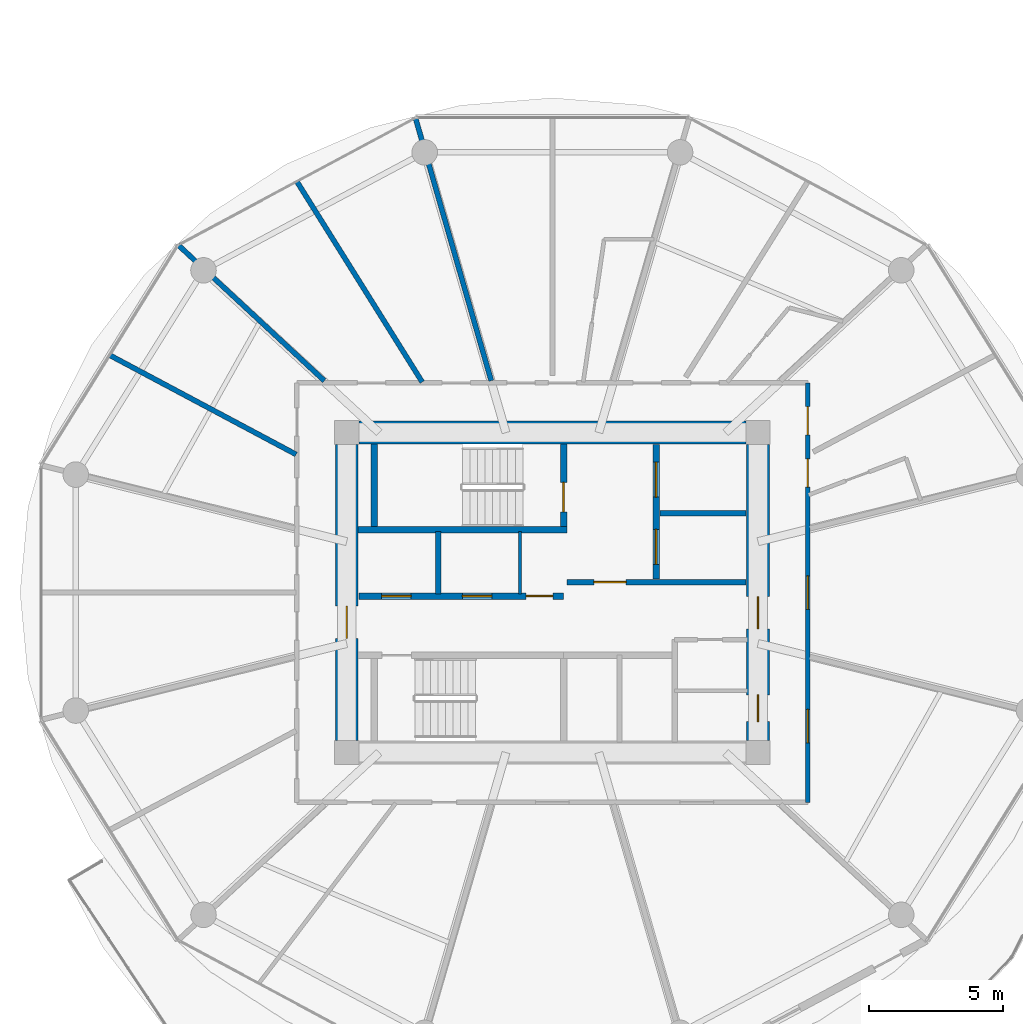
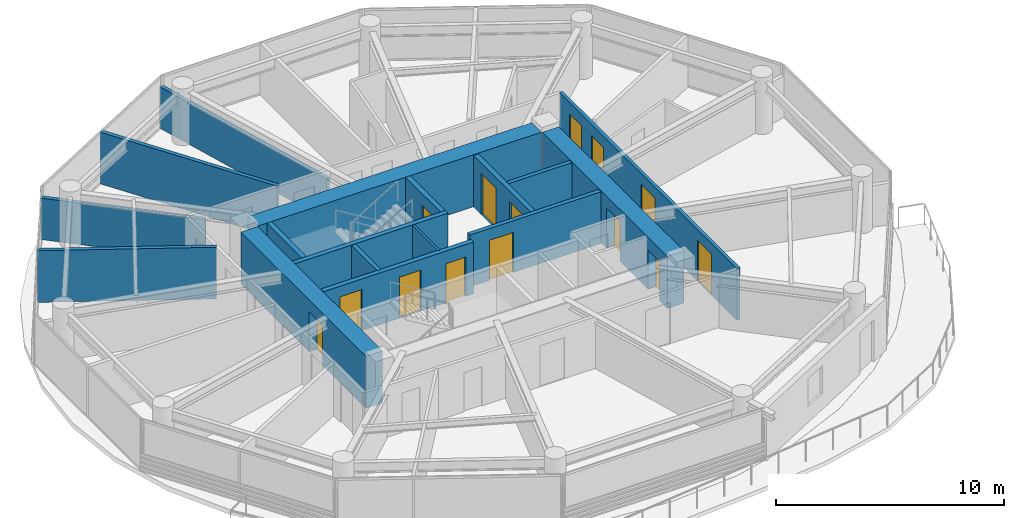
# One storey, part 16 of 26: 17 walls, 14 doors, 14 openings.
"""IFC4 building model written with IfcOpenShell, lengths in metres."""

from ifc_helpers import new_model, si_unit, direction, frame, frame_2d, origin, place, context, subcontext, project, spatial, rectangle, extrude, source, transform, mapped, material, layer, layer_set, type_object, type_shapes, element, fill, save


model = new_model("IFC4")

# Units and contexts
model_context = context("Model", 3, precision=1e-05, world=origin(), true_north=direction((0.0, 1.0)))
body_context = subcontext(model_context, "Body", "Model", "MODEL_VIEW")
ifc_project = project(units=[si_unit("LENGTHUNIT", "METRE"), si_unit("AREAUNIT", "SQUARE_METRE"), si_unit("VOLUMEUNIT", "CUBIC_METRE"), si_unit("PLANEANGLEUNIT", "RADIAN"), si_unit("MASSUNIT", "GRAM", prefix="KILO")], contexts=[model_context])

# Site, building, storey
site_placement = place(None, origin())
site = spatial("IfcSite", under=ifc_project, at=site_placement, CompositionType="ELEMENT")
building_placement = place(site_placement, origin())
building = spatial("IfcBuilding", under=site, at=building_placement, Name="Norrkilde Senior Care Towers", CompositionType="ELEMENT")
storey_placement = place(building_placement, frame((0.0, 0.0, 55.14990234375)))
storey = spatial("IfcBuildingStorey", under=building, at=storey_placement, Name="L16", CompositionType="ELEMENT", Elevation=55.14990234375)

# Wall
ifc_material_1 = material(Name="Concrete C60/75", Category="concrete")
ifc_layer_1 = layer(ifc_material_1, 0.85009765625)
ifc_layer_set_1 = layer_set([ifc_layer_1], Name="Concrete C60/75")
wall_type_1 = type_object("IfcWallType", Name="Core Shear Wall Z1 850", PredefinedType="SHEAR", material=ifc_layer_set_1)
shared_shape_1 = source(origin(), body_context, "Body", "SweptSolid", [
    extrude(rectangle(XDim=14.39990234375, YDim=0.85009765625, at=frame_2d((7.199951171875, 0.0))), origin(), (0.0, 0.0, 1.0), 2.7900390625),
])
wall_1_placement = place(storey_placement, frame((-35.199951171875, 5.949951171875, 0.0), z_axis=(0.0, 0.0, 1.0), x_axis=(1.0, 0.0, 0.0)))
element("IfcWall", 1, at=wall_1_placement, inside=storey, type_object=wall_type_1, Name="L16 Core W North Shear Wall", PredefinedType="SHEAR", context=body_context, shape_type="MappedRepresentation", body=[
    mapped(shared_shape_1, transform((0.0, 0.0, 0.0), x_axis=(1.0, 0.0, 0.0), y_axis=(0.0, 1.0, 0.0), z_axis=(0.0, 0.0, 1.0), scale=1.0)),
])

# Wall, opening, door
shared_shape_2 = source(origin(), body_context, "Body", "SweptSolid", [
    extrude(rectangle(XDim=11.0, YDim=0.85009765625, at=frame_2d((5.5, 0.0))), origin(), (0.0, 0.0, 1.0), 2.7900390625),
])
type_shapes(wall_type_1, [shared_shape_1, shared_shape_2])
wall_2_placement = place(storey_placement, frame((-35.64990234375, -5.5, 0.0), z_axis=(0.0, 0.0, 1.0), x_axis=(0.0, 1.0, 0.0)))
wall_2 = element("IfcWall", 2, at=wall_2_placement, inside=storey, type_object=wall_type_1, Name="L16 Core W West Shear Wall", PredefinedType="SHEAR", context=body_context, shape_type="MappedRepresentation", body=[
    mapped(shared_shape_2, transform((0.0, 0.0, 0.0), x_axis=(1.0, 0.0, 0.0), y_axis=(0.0, 1.0, 0.0), z_axis=(0.0, 0.0, 1.0), scale=1.0)),
])
opening_1_placement = place(wall_2_placement, frame((3.800048828125, 0.0, 0.0)))
opening_1 = element("IfcOpeningElement", 3, at=opening_1_placement, cuts=wall_2, Name="Opening D-04", PredefinedType="OPENING", context=body_context, shape_type="SweptSolid", body=[
    extrude(rectangle(XDim=1.199951171875, YDim=2.14990234375, at=frame_2d((0.60009765625, 1.074951171875))), frame((0.0, 0.43505859375, 0.0), z_axis=(0.0, -1.0, 0.0), x_axis=(1.0, 0.0, 0.0)), (0.0, 0.0, 1.0), 0.8701171875),
])
ifc_material_2 = material(Name="Galvanised Painted Steel", Category="steel")
door_type_1 = type_object("IfcDoorType", Name="Firefighting Lobby Fire Door 1200x2150", OperationType="NOTDEFINED", PredefinedType="DOOR", material=ifc_material_2)
shared_shape_3 = source(origin(), body_context, "Body", "SweptSolid", [
    extrude(rectangle(XDim=1.199951171875, YDim=2.14990234375, at=frame_2d((0.60009765625, 1.074951171875))), frame((0.0, 0.02490234375, 0.0), z_axis=(0.0, -1.0, 0.0), x_axis=(1.0, 0.0, 0.0)), (0.0, 0.0, 1.0), 0.050048828125),
])
type_shapes(door_type_1, [shared_shape_3])
door_1_placement = place(opening_1_placement, frame((1.199951171875, 0.0, 0.0), z_axis=(0.0, 0.0, 1.0), x_axis=(-1.0, 0.0, 0.0)))
door_1 = element("IfcDoor", 4, at=door_1_placement, inside=storey, type_object=door_type_1, Name="L16 Core W West Portal Door", OperationType="SINGLE_SWING_LEFT", OverallHeight=2.14990234375, OverallWidth=1.199951171875, PredefinedType="DOOR", context=body_context, shape_type="MappedRepresentation", body=[
    mapped(shared_shape_3, transform((0.0, 0.0, 0.0), x_axis=(1.0, 0.0, 0.0), y_axis=(0.0, 1.0, 0.0), z_axis=(0.0, 0.0, 1.0), scale=1.0)),
])
fill(opening_1, door_1)

# Wall, openings, doors
wall_3_placement = place(storey_placement, frame((-20.35009765625, 5.5, 0.0), z_axis=(0.0, 0.0, 1.0), x_axis=(0.0, -1.0, 0.0)))
wall_3 = element("IfcWall", 5, at=wall_3_placement, inside=storey, type_object=wall_type_1, Name="L16 Core W East Shear Wall", PredefinedType="SHEAR", context=body_context, shape_type="MappedRepresentation", body=[
    mapped(shared_shape_2, transform((0.0, 0.0, 0.0), x_axis=(1.0, 0.0, 0.0), y_axis=(0.0, 1.0, 0.0), z_axis=(0.0, 0.0, 1.0), scale=1.0)),
])
opening_2_placement = place(wall_3_placement, frame((5.64990234375, 0.0, 0.0)))
opening_2 = element("IfcOpeningElement", 6, at=opening_2_placement, cuts=wall_3, Name="Opening D-04", PredefinedType="OPENING", context=body_context, shape_type="SweptSolid", body=[
    extrude(rectangle(XDim=1.199951171875, YDim=2.14990234375, at=frame_2d((0.60009765625, 1.074951171875))), frame((0.0, 0.43505859375, 0.0), z_axis=(0.0, -1.0, 0.0), x_axis=(1.0, 0.0, 0.0)), (0.0, 0.0, 1.0), 0.8701171875),
])
opening_3_placement = place(wall_3_placement, frame((9.300048828125, 0.0, 0.0)))
opening_3 = element("IfcOpeningElement", 7, at=opening_3_placement, cuts=wall_3, Name="Opening D-10", PredefinedType="OPENING", context=body_context, shape_type="SweptSolid", body=[
    extrude(rectangle(XDim=1.0, YDim=2.10009765625, at=frame_2d((0.5, 1.050048828125))), frame((0.0, 0.43505859375, 0.0), z_axis=(0.0, -1.0, 0.0), x_axis=(1.0, 0.0, 0.0)), (0.0, 0.0, 1.0), 0.8701171875),
])
door_2_placement = place(opening_2_placement, frame((1.199951171875, 0.0, 0.0), z_axis=(0.0, 0.0, 1.0), x_axis=(-1.0, 0.0, 0.0)))
door_2 = element("IfcDoor", 8, at=door_2_placement, inside=storey, type_object=door_type_1, Name="L16 Core W East Portal Door", OperationType="SINGLE_SWING_RIGHT", OverallHeight=2.14990234375, OverallWidth=1.199951171875, PredefinedType="DOOR", context=body_context, shape_type="MappedRepresentation", body=[
    mapped(shared_shape_3, transform((0.0, 0.0, 0.0), x_axis=(1.0, 0.0, 0.0), y_axis=(0.0, 1.0, 0.0), z_axis=(0.0, 0.0, 1.0), scale=1.0)),
])
fill(opening_2, door_2)
door_type_2 = type_object("IfcDoorType", Name="Plant and Riser Rated Door 1000x2100", OperationType="NOTDEFINED", PredefinedType="DOOR", material=ifc_material_2)
shared_shape_4 = source(origin(), body_context, "Body", "SweptSolid", [
    extrude(rectangle(XDim=1.0, YDim=2.10009765625, at=frame_2d((0.5, 1.050048828125))), frame((0.0, 0.02490234375, 0.0), z_axis=(0.0, -1.0, 0.0), x_axis=(1.0, 0.0, 0.0)), (0.0, 0.0, 1.0), 0.050048828125),
])
type_shapes(door_type_2, [shared_shape_4])
door_3_placement = place(opening_3_placement, frame((1.0, 0.0, 0.0), z_axis=(0.0, 0.0, 1.0), x_axis=(-1.0, 0.0, 0.0)))
door_3 = element("IfcDoor", 9, at=door_3_placement, inside=storey, type_object=door_type_2, Name="L16 Ventilation Riser W Door", OperationType="SINGLE_SWING_RIGHT", OverallHeight=2.10009765625, OverallWidth=1.0, PredefinedType="DOOR", context=body_context, shape_type="MappedRepresentation", body=[
    mapped(shared_shape_4, transform((0.0, 0.0, 0.0), x_axis=(1.0, 0.0, 0.0), y_axis=(0.0, 1.0, 0.0), z_axis=(0.0, 0.0, 1.0), scale=1.0)),
])
fill(opening_3, door_3)

# Walls
ifc_material_3 = material(Name="Concrete C45/55", Category="concrete")
ifc_layer_2 = layer(ifc_material_3, 0.239990234375)
ifc_layer_set_2 = layer_set([ifc_layer_2], Name="Concrete C45/55")
wall_type_2 = type_object("IfcWallType", Name="Shaft and Stair Enclosure Wall 240", PredefinedType="PARTITIONING", material=ifc_layer_set_2)
shared_shape_5 = source(origin(), body_context, "Body", "SweptSolid", [
    extrude(rectangle(XDim=7.76513671875, YDim=0.239990234375, at=frame_2d((3.882568359375, 0.0))), origin(), (0.0, 0.0, 1.0), 2.7900390625),
])
wall_4_placement = place(storey_placement, frame((-35.22509765625, 2.330078125, 0.0), z_axis=(0.0, 0.0, 1.0), x_axis=(1.0, 0.0, 0.0)))
element("IfcWall", 10, at=wall_4_placement, inside=storey, type_object=wall_type_2, Name="WL-INT-L16-W-ST1S", PredefinedType="PARTITIONING", context=body_context, shape_type="MappedRepresentation", body=[
    mapped(shared_shape_5, transform((0.0, 0.0, 0.0), x_axis=(1.0, 0.0, 0.0), y_axis=(0.0, 1.0, 0.0), z_axis=(0.0, 0.0, 1.0), scale=1.0)),
])
shared_shape_6 = source(origin(), body_context, "Body", "SweptSolid", [
    extrude(rectangle(XDim=3.074951171875, YDim=0.239990234375, at=frame_2d((1.53759765625, 0.0))), origin(), (0.0, 0.0, 1.0), 2.7900390625),
])
type_shapes(wall_type_2, [shared_shape_5, shared_shape_6])
wall_5_placement = place(storey_placement, frame((-34.6201171875, 2.449951171875, 0.0), z_axis=(0.0, 0.0, 1.0), x_axis=(0.0, 1.0, 0.0)))
element("IfcWall", 11, at=wall_5_placement, inside=storey, type_object=wall_type_2, Name="WL-INT-L16-W-ST1W", PredefinedType="PARTITIONING", context=body_context, shape_type="MappedRepresentation", body=[
    mapped(shared_shape_6, transform((0.0, 0.0, 0.0), x_axis=(1.0, 0.0, 0.0), y_axis=(0.0, 1.0, 0.0), z_axis=(0.0, 0.0, 1.0), scale=1.0)),
])

# Wall, opening, door
wall_6_placement = place(storey_placement, frame((-27.580078125, 2.449951171875, 0.0), z_axis=(0.0, 0.0, 1.0), x_axis=(0.0, 1.0, 0.0)))
wall_6 = element("IfcWall", 12, at=wall_6_placement, inside=storey, type_object=wall_type_2, Name="WL-INT-L16-W-ST1E", PredefinedType="PARTITIONING", context=body_context, shape_type="MappedRepresentation", body=[
    mapped(shared_shape_6, transform((0.0, 0.0, 0.0), x_axis=(1.0, 0.0, 0.0), y_axis=(0.0, 1.0, 0.0), z_axis=(0.0, 0.0, 1.0), scale=1.0)),
])
opening_4_placement = place(wall_6_placement, frame((0.550048828125, 0.0, 0.0)))
opening_4 = element("IfcOpeningElement", 13, at=opening_4_placement, cuts=wall_6, Name="Opening D-03", PredefinedType="OPENING", context=body_context, shape_type="SweptSolid", body=[
    extrude(rectangle(XDim=1.10009765625, YDim=2.14990234375, at=frame_2d((0.550048828125, 1.074951171875))), frame((0.0, 0.1298828125, 0.0), z_axis=(0.0, -1.0, 0.0), x_axis=(1.0, 0.0, 0.0)), (0.0, 0.0, 1.0), 0.260009765625),
])
door_type_3 = type_object("IfcDoorType", Name="Stairwell Protected Fire Door 1100x2150", OperationType="NOTDEFINED", PredefinedType="DOOR", material=ifc_material_2)
shared_shape_7 = source(origin(), body_context, "Body", "SweptSolid", [
    extrude(rectangle(XDim=1.10009765625, YDim=2.14990234375, at=frame_2d((0.550048828125, 1.074951171875))), frame((0.0, 0.02490234375, 0.0), z_axis=(0.0, -1.0, 0.0), x_axis=(1.0, 0.0, 0.0)), (0.0, 0.0, 1.0), 0.050048828125),
])
type_shapes(door_type_3, [shared_shape_7])
door_4_placement = place(opening_4_placement, origin())
door_4 = element("IfcDoor", 14, at=door_4_placement, inside=storey, type_object=door_type_3, Name="L16 Stair W1 Fire Door", OperationType="SINGLE_SWING_LEFT", OverallHeight=2.14990234375, OverallWidth=1.10009765625, PredefinedType="DOOR", context=body_context, shape_type="MappedRepresentation", body=[
    mapped(shared_shape_7, transform((0.0, 0.0, 0.0), x_axis=(1.0, 0.0, 0.0), y_axis=(0.0, 1.0, 0.0), z_axis=(0.0, 0.0, 1.0), scale=1.0)),
])
fill(opening_4, door_4)

# Wall, openings, doors
ifc_layer_3 = layer(ifc_material_3, 0.239990234375)
ifc_layer_set_3 = layer_set([ifc_layer_3], Name="Concrete C45/55")
wall_type_3 = type_object("IfcWallType", Name="Lift and Plant Rated Enclosure Partition 240", PredefinedType="PARTITIONING", material=ifc_layer_set_3)
shared_shape_8 = source(origin(), body_context, "Body", "SweptSolid", [
    extrude(rectangle(XDim=5.0, YDim=0.239990234375, at=frame_2d((2.5, 0.0))), origin(), (0.0, 0.0, 1.0), 2.775146484375),
])
wall_7_placement = place(storey_placement, frame((-24.139892578125, 0.5, 0.0), z_axis=(0.0, 0.0, 1.0), x_axis=(0.0, 1.0, 0.0)))
wall_7 = element("IfcWall", 15, at=wall_7_placement, inside=storey, type_object=wall_type_3, Name="WL-INT-L16-W-FFLE", PredefinedType="PARTITIONING", context=body_context, shape_type="MappedRepresentation", body=[
    mapped(shared_shape_8, transform((0.0, 0.0, 0.0), x_axis=(1.0, 0.0, 0.0), y_axis=(0.0, 1.0, 0.0), z_axis=(0.0, 0.0, 1.0), scale=1.0)),
])
opening_5_placement = place(wall_7_placement, frame((3.050048828125, 0.0, 0.0)))
opening_5 = element("IfcOpeningElement", 16, at=opening_5_placement, cuts=wall_7, Name="Opening LD-02", PredefinedType="OPENING", context=body_context, shape_type="SweptSolid", body=[
    extrude(rectangle(XDim=1.300048828125, YDim=2.199951171875, at=frame_2d((0.64990234375, 1.10009765625))), frame((0.0, 0.1298828125, 0.0), z_axis=(0.0, -1.0, 0.0), x_axis=(1.0, 0.0, 0.0)), (0.0, 0.0, 1.0), 0.260009765625),
])
opening_6_placement = place(wall_7_placement, frame((0.550048828125, 0.0, 0.0)))
opening_6 = element("IfcOpeningElement", 17, at=opening_6_placement, cuts=wall_7, Name="Opening LD-02", PredefinedType="OPENING", context=body_context, shape_type="SweptSolid", body=[
    extrude(rectangle(XDim=1.300048828125, YDim=2.199951171875, at=frame_2d((0.64990234375, 1.10009765625))), frame((0.0, 0.1298828125, 0.0), z_axis=(0.0, -1.0, 0.0), x_axis=(1.0, 0.0, 0.0)), (0.0, 0.0, 1.0), 0.260009765625),
])
ifc_material_4 = material(Name="Stainless Steel", Category="steel")
door_type_4 = type_object("IfcDoorType", Name="Stretcher and FFL Landing Sliding Door 1300x2200", OperationType="NOTDEFINED", PredefinedType="DOOR", material=ifc_material_4)
shared_shape_9 = source(origin(), body_context, "Body", "SweptSolid", [
    extrude(rectangle(XDim=1.300048828125, YDim=2.199951171875, at=frame_2d((0.64990234375, 1.10009765625))), frame((0.0, 0.02490234375, 0.0), z_axis=(0.0, -1.0, 0.0), x_axis=(1.0, 0.0, 0.0)), (0.0, 0.0, 1.0), 0.050048828125),
])
type_shapes(door_type_4, [shared_shape_9])
door_5_placement = place(opening_5_placement, origin())
door_5 = element("IfcDoor", 18, at=door_5_placement, inside=storey, type_object=door_type_4, Name="L16 Firefighting Lift W1 Landing Door", OperationType="SLIDING_TO_LEFT", OverallHeight=2.199951171875, OverallWidth=1.300048828125, PredefinedType="DOOR", context=body_context, shape_type="MappedRepresentation", body=[
    mapped(shared_shape_9, transform((0.0, 0.0, 0.0), x_axis=(1.0, 0.0, 0.0), y_axis=(0.0, 1.0, 0.0), z_axis=(0.0, 0.0, 1.0), scale=1.0)),
])
fill(opening_5, door_5)
door_6_placement = place(opening_6_placement, origin())
door_6 = element("IfcDoor", 19, at=door_6_placement, inside=storey, type_object=door_type_4, Name="L16 Stretcher Lift W1 Landing Door", OperationType="SLIDING_TO_RIGHT", OverallHeight=2.199951171875, OverallWidth=1.300048828125, PredefinedType="DOOR", context=body_context, shape_type="MappedRepresentation", body=[
    mapped(shared_shape_9, transform((0.0, 0.0, 0.0), x_axis=(1.0, 0.0, 0.0), y_axis=(0.0, 1.0, 0.0), z_axis=(0.0, 0.0, 1.0), scale=1.0)),
])
fill(opening_6, door_6)

# Wall
ifc_layer_4 = layer(ifc_material_3, 0.199951171875)
ifc_layer_set_4 = layer_set([ifc_layer_4], Name="Concrete C45/55")
wall_type_4 = type_object("IfcWallType", Name="Shaft Division and Plant Partition 200", PredefinedType="PARTITIONING", material=ifc_layer_set_4)
shared_shape_10 = source(origin(), body_context, "Body", "SweptSolid", [
    extrude(rectangle(XDim=3.199951171875, YDim=0.199951171875, at=frame_2d((1.60009765625, 0.0))), origin(), (0.0, 0.0, 1.0), 2.775146484375),
])
wall_8_placement = place(storey_placement, frame((-24.0, 2.949951171875, 0.0), z_axis=(0.0, 0.0, 1.0), x_axis=(1.0, 0.0, 0.0)))
element("IfcWall", 20, at=wall_8_placement, inside=storey, type_object=wall_type_4, Name="WL-INT-L16-W-FFLDIV", PredefinedType="PARTITIONING", context=body_context, shape_type="MappedRepresentation", body=[
    mapped(shared_shape_10, transform((0.0, 0.0, 0.0), x_axis=(1.0, 0.0, 0.0), y_axis=(0.0, 1.0, 0.0), z_axis=(0.0, 0.0, 1.0), scale=1.0)),
])

# Wall, opening, door
ifc_layer_5 = layer(ifc_material_3, 0.2099609375)
ifc_layer_set_5 = layer_set([ifc_layer_5], Name="Concrete C45/55")
wall_type_5 = type_object("IfcWallType", Name="Firefighting Lobby Wall 210", PredefinedType="PARTITIONING", material=ifc_layer_set_5)
shared_shape_11 = source(origin(), body_context, "Body", "SweptSolid", [
    extrude(rectangle(XDim=6.659912109375, YDim=0.2099609375, at=frame_2d((3.330078125, 0.0))), origin(), (0.0, 0.0, 1.0), 2.775146484375),
])
type_shapes(wall_type_5, [shared_shape_11])
wall_9_placement = place(storey_placement, frame((-27.4599609375, 0.389892578125, 0.0), z_axis=(0.0, 0.0, 1.0), x_axis=(1.0, 0.0, 0.0)))
wall_9 = element("IfcWall", 21, at=wall_9_placement, inside=storey, type_object=wall_type_5, Name="WL-INT-L16-W-FFLS", PredefinedType="PARTITIONING", context=body_context, shape_type="MappedRepresentation", body=[
    mapped(shared_shape_11, transform((0.0, 0.0, 0.0), x_axis=(1.0, 0.0, 0.0), y_axis=(0.0, 1.0, 0.0), z_axis=(0.0, 0.0, 1.0), scale=1.0)),
])
opening_7_placement = place(wall_9_placement, frame((1.0, 0.0, 0.0)))
opening_7 = element("IfcOpeningElement", 22, at=opening_7_placement, cuts=wall_9, Name="Opening D-04", PredefinedType="OPENING", context=body_context, shape_type="SweptSolid", body=[
    extrude(rectangle(XDim=1.199951171875, YDim=2.14990234375, at=frame_2d((0.60009765625, 1.074951171875))), frame((0.0, 0.114990234375, 0.0), z_axis=(0.0, -1.0, 0.0), x_axis=(1.0, 0.0, 0.0)), (0.0, 0.0, 1.0), 0.22998046875),
])
door_7_placement = place(opening_7_placement, frame((1.199951171875, 0.0, 0.0), z_axis=(0.0, 0.0, 1.0), x_axis=(-1.0, 0.0, 0.0)))
door_7 = element("IfcDoor", 23, at=door_7_placement, inside=storey, type_object=door_type_1, Name="L16 Firefighting Lobby W Door", OperationType="SINGLE_SWING_LEFT", OverallHeight=2.14990234375, OverallWidth=1.199951171875, PredefinedType="DOOR", context=body_context, shape_type="MappedRepresentation", body=[
    mapped(shared_shape_3, transform((0.0, 0.0, 0.0), x_axis=(1.0, 0.0, 0.0), y_axis=(0.0, 1.0, 0.0), z_axis=(0.0, 0.0, 1.0), scale=1.0)),
])
fill(opening_7, door_7)

# Wall, openings, doors
shared_shape_12 = source(origin(), body_context, "Body", "SweptSolid", [
    extrude(rectangle(XDim=7.619873046875, YDim=0.239990234375, at=frame_2d((3.81005859375, 0.0))), origin(), (0.0, 0.0, 1.0), 2.775146484375),
])
type_shapes(wall_type_3, [shared_shape_8, shared_shape_12])
wall_10_placement = place(storey_placement, frame((-35.199951171875, -0.1298828125, 0.0), z_axis=(0.0, 0.0, 1.0), x_axis=(1.0, 0.0, 0.0)))
wall_10 = element("IfcWall", 24, at=wall_10_placement, inside=storey, type_object=wall_type_3, Name="WL-INT-L16-W-PKAS", PredefinedType="PARTITIONING", context=body_context, shape_type="MappedRepresentation", body=[
    mapped(shared_shape_12, transform((0.0, 0.0, 0.0), x_axis=(1.0, 0.0, 0.0), y_axis=(0.0, 1.0, 0.0), z_axis=(0.0, 0.0, 1.0), scale=1.0)),
])
opening_8_placement = place(wall_10_placement, frame((6.219970703125, 0.0, 0.0)))
opening_8 = element("IfcOpeningElement", 25, at=opening_8_placement, cuts=wall_10, Name="Opening D-10", PredefinedType="OPENING", context=body_context, shape_type="SweptSolid", body=[
    extrude(rectangle(XDim=1.0, YDim=2.10009765625, at=frame_2d((0.5, 1.050048828125))), frame((0.0, 0.1298828125, 0.0), z_axis=(0.0, -1.0, 0.0), x_axis=(1.0, 0.0, 0.0)), (0.0, 0.0, 1.0), 0.260009765625),
])
opening_9_placement = place(wall_10_placement, frame((0.85009765625, 0.0, 0.0)))
opening_9 = element("IfcOpeningElement", 26, at=opening_9_placement, cuts=wall_10, Name="Opening LD-01", PredefinedType="OPENING", context=body_context, shape_type="SweptSolid", body=[
    extrude(rectangle(XDim=1.10009765625, YDim=2.199951171875, at=frame_2d((0.550048828125, 1.10009765625))), frame((0.0, 0.1298828125, 0.0), z_axis=(0.0, -1.0, 0.0), x_axis=(1.0, 0.0, 0.0)), (0.0, 0.0, 1.0), 0.260009765625),
])
opening_10_placement = place(wall_10_placement, frame((3.85009765625, 0.0, 0.0)))
opening_10 = element("IfcOpeningElement", 27, at=opening_10_placement, cuts=wall_10, Name="Opening LD-01", PredefinedType="OPENING", context=body_context, shape_type="SweptSolid", body=[
    extrude(rectangle(XDim=1.10009765625, YDim=2.199951171875, at=frame_2d((0.550048828125, 1.10009765625))), frame((0.0, 0.1298828125, 0.0), z_axis=(0.0, -1.0, 0.0), x_axis=(1.0, 0.0, 0.0)), (0.0, 0.0, 1.0), 0.260009765625),
])
door_8_placement = place(opening_8_placement, frame((1.0, 0.0, 0.0), z_axis=(0.0, 0.0, 1.0), x_axis=(-1.0, 0.0, 0.0)))
door_8 = element("IfcDoor", 28, at=door_8_placement, inside=storey, type_object=door_type_2, Name="L16 Electrical Riser W Door", OperationType="SINGLE_SWING_LEFT", OverallHeight=2.10009765625, OverallWidth=1.0, PredefinedType="DOOR", context=body_context, shape_type="MappedRepresentation", body=[
    mapped(shared_shape_4, transform((0.0, 0.0, 0.0), x_axis=(1.0, 0.0, 0.0), y_axis=(0.0, 1.0, 0.0), z_axis=(0.0, 0.0, 1.0), scale=1.0)),
])
fill(opening_8, door_8)
door_type_5 = type_object("IfcDoorType", Name="Lift Landing Sliding Door 1100x2200", OperationType="NOTDEFINED", PredefinedType="DOOR", material=ifc_material_4)
shared_shape_13 = source(origin(), body_context, "Body", "SweptSolid", [
    extrude(rectangle(XDim=1.10009765625, YDim=2.199951171875, at=frame_2d((0.550048828125, 1.10009765625))), frame((0.0, 0.02490234375, 0.0), z_axis=(0.0, -1.0, 0.0), x_axis=(1.0, 0.0, 0.0)), (0.0, 0.0, 1.0), 0.050048828125),
])
type_shapes(door_type_5, [shared_shape_13])
door_9_placement = place(opening_9_placement, origin())
door_9 = element("IfcDoor", 29, at=door_9_placement, inside=storey, type_object=door_type_5, Name="L16 Passenger Lift W1 Landing Door", OperationType="SLIDING_TO_LEFT", OverallHeight=2.199951171875, OverallWidth=1.10009765625, PredefinedType="DOOR", context=body_context, shape_type="MappedRepresentation", body=[
    mapped(shared_shape_13, transform((0.0, 0.0, 0.0), x_axis=(1.0, 0.0, 0.0), y_axis=(0.0, 1.0, 0.0), z_axis=(0.0, 0.0, 1.0), scale=1.0)),
])
fill(opening_9, door_9)
door_10_placement = place(opening_10_placement, origin())
door_10 = element("IfcDoor", 30, at=door_10_placement, inside=storey, type_object=door_type_5, Name="L16 Passenger Lift W2 Landing Door", OperationType="SLIDING_TO_RIGHT", OverallHeight=2.199951171875, OverallWidth=1.10009765625, PredefinedType="DOOR", context=body_context, shape_type="MappedRepresentation", body=[
    mapped(shared_shape_13, transform((0.0, 0.0, 0.0), x_axis=(1.0, 0.0, 0.0), y_axis=(0.0, 1.0, 0.0), z_axis=(0.0, 0.0, 1.0), scale=1.0)),
])
fill(opening_10, door_10)

# Walls
ifc_material_5 = material(Name="Gypsum Acoustic Board")
ifc_layer_6 = layer(ifc_material_5, 0.114990234375)
ifc_layer_set_6 = layer_set([ifc_layer_6], Name="Gypsum Acoustic Board")
wall_type_6 = type_object("IfcWallType", Name="Internal Room Partition 115", PredefinedType="PARTITIONING", material=ifc_layer_set_6)
shared_shape_14 = source(origin(), body_context, "Body", "SweptSolid", [
    extrude(rectangle(XDim=2.330078125, YDim=0.114990234375, at=frame_2d((1.1650390625, 0.0))), origin(), (0.0, 0.0, 1.0), 2.775146484375),
])
type_shapes(wall_type_6, [shared_shape_14])
wall_11_placement = place(storey_placement, frame((-29.2099609375, -0.050048828125, 0.0), z_axis=(0.0, 0.0, 1.0), x_axis=(0.0, 1.0, 0.0)))
element("IfcWall", 31, at=wall_11_placement, inside=storey, type_object=wall_type_6, Name="WL-INT-L16-W-RISW", PredefinedType="PARTITIONING", context=body_context, shape_type="MappedRepresentation", body=[
    mapped(shared_shape_14, transform((0.0, 0.0, 0.0), x_axis=(1.0, 0.0, 0.0), y_axis=(0.0, 1.0, 0.0), z_axis=(0.0, 0.0, 1.0), scale=1.0)),
])
shared_shape_15 = source(origin(), body_context, "Body", "SweptSolid", [
    extrude(rectangle(XDim=2.330078125, YDim=0.199951171875, at=frame_2d((1.1650390625, 0.0))), origin(), (0.0, 0.0, 1.0), 2.775146484375),
])
type_shapes(wall_type_4, [shared_shape_10, shared_shape_15])
wall_12_placement = place(storey_placement, frame((-32.25, -0.050048828125, 0.0), z_axis=(0.0, 0.0, 1.0), x_axis=(0.0, 1.0, 0.0)))
element("IfcWall", 32, at=wall_12_placement, inside=storey, type_object=wall_type_4, Name="WL-INT-L16-W-PL12", PredefinedType="PARTITIONING", context=body_context, shape_type="MappedRepresentation", body=[
    mapped(shared_shape_15, transform((0.0, 0.0, 0.0), x_axis=(1.0, 0.0, 0.0), y_axis=(0.0, 1.0, 0.0), z_axis=(0.0, 0.0, 1.0), scale=1.0)),
])

# Wall, openings, doors
ifc_layer_7 = layer(ifc_material_5, 0.1650390625)
ifc_layer_set_7 = layer_set([ifc_layer_7], Name="Gypsum Acoustic Board")
wall_type_7 = type_object("IfcWallType", Name="Corridor Rated Partition 165", PredefinedType="PARTITIONING", material=ifc_layer_set_7)
shared_shape_16 = source(origin(), body_context, "Body", "SweptSolid", [
    extrude(rectangle(XDim=15.60009765625, YDim=0.1650390625, at=frame_2d((7.800048828125, 0.0))), origin(), (0.0, 0.0, 1.0), 2.775146484375),
])
type_shapes(wall_type_7, [shared_shape_16])
wall_13_placement = place(storey_placement, frame((-18.5, 7.800048828125, 0.0), z_axis=(0.0, 0.0, 1.0), x_axis=(0.0, -1.0, 0.0)))
wall_13 = element("IfcWall", 33, at=wall_13_placement, inside=storey, type_object=wall_type_7, Name="WL-INT-L16-W-CRW-E-0", PredefinedType="PARTITIONING", context=body_context, shape_type="MappedRepresentation", body=[
    mapped(shared_shape_16, transform((0.0, 0.0, 0.0), x_axis=(1.0, 0.0, 0.0), y_axis=(0.0, 1.0, 0.0), z_axis=(0.0, 0.0, 1.0), scale=1.0)),
])
opening_11_placement = place(wall_13_placement, frame((12.141357421875, 0.0, 0.0)))
opening_11 = element("IfcOpeningElement", 34, at=opening_11_placement, cuts=wall_13, Name="Opening D-05", PredefinedType="OPENING", context=body_context, shape_type="SweptSolid", body=[
    extrude(rectangle(XDim=1.25, YDim=2.199951171875, at=frame_2d((0.625, 1.10009765625))), frame((0.0, 0.092529296875, 0.0), z_axis=(0.0, -1.0, 0.0), x_axis=(1.0, 0.0, 0.0)), (0.0, 0.0, 1.0), 0.18505859375),
])
opening_12_placement = place(wall_13_placement, frame((7.175048828125, 0.0, 0.0)))
opening_12 = element("IfcOpeningElement", 35, at=opening_12_placement, cuts=wall_13, Name="Opening D-05", PredefinedType="OPENING", context=body_context, shape_type="SweptSolid", body=[
    extrude(rectangle(XDim=1.25, YDim=2.199951171875, at=frame_2d((0.625, 1.10009765625))), frame((0.0, 0.092529296875, 0.0), z_axis=(0.0, -1.0, 0.0), x_axis=(1.0, 0.0, 0.0)), (0.0, 0.0, 1.0), 0.18505859375),
])
opening_13_placement = place(wall_13_placement, frame((2.826416015625, 0.0, 0.0)))
opening_13 = element("IfcOpeningElement", 36, at=opening_13_placement, cuts=wall_13, Name="Opening D-06", PredefinedType="OPENING", context=body_context, shape_type="SweptSolid", body=[
    extrude(rectangle(XDim=1.050048828125, YDim=2.14990234375, at=frame_2d((0.52490234375, 1.074951171875))), frame((0.0, 0.092529296875, 0.0), z_axis=(0.0, -1.0, 0.0), x_axis=(1.0, 0.0, 0.0)), (0.0, 0.0, 1.0), 0.18505859375),
])
opening_14_placement = place(wall_13_placement, frame((0.88134765625, 0.0, 0.0)))
opening_14 = element("IfcOpeningElement", 37, at=opening_14_placement, cuts=wall_13, Name="Opening D-06", PredefinedType="OPENING", context=body_context, shape_type="SweptSolid", body=[
    extrude(rectangle(XDim=1.050048828125, YDim=2.14990234375, at=frame_2d((0.52490234375, 1.074951171875))), frame((0.0, 0.092529296875, 0.0), z_axis=(0.0, -1.0, 0.0), x_axis=(1.0, 0.0, 0.0)), (0.0, 0.0, 1.0), 0.18505859375),
])
ifc_material_6 = material(Name="Nordic Ash Timber", Category="wood")
door_type_6 = type_object("IfcDoorType", Name="Care Bedroom Bariatric Door 1250x2200", OperationType="NOTDEFINED", PredefinedType="DOOR", material=ifc_material_6)
shared_shape_17 = source(origin(), body_context, "Body", "SweptSolid", [
    extrude(rectangle(XDim=1.25, YDim=2.199951171875, at=frame_2d((0.625, 1.10009765625))), frame((0.0, 0.02490234375, 0.0), z_axis=(0.0, -1.0, 0.0), x_axis=(1.0, 0.0, 0.0)), (0.0, 0.0, 1.0), 0.050048828125),
])
type_shapes(door_type_6, [shared_shape_17])
door_11_placement = place(opening_11_placement, frame((1.25, 0.0, 0.0), z_axis=(0.0, 0.0, 1.0), x_axis=(-1.0, 0.0, 0.0)))
door_11 = element("IfcDoor", 38, at=door_11_placement, inside=storey, type_object=door_type_6, Name="L16 Resident Family Conference Room Door", OperationType="SINGLE_SWING_LEFT", OverallHeight=2.199951171875, OverallWidth=1.25, PredefinedType="DOOR", context=body_context, shape_type="MappedRepresentation", body=[
    mapped(shared_shape_17, transform((0.0, 0.0, 0.0), x_axis=(1.0, 0.0, 0.0), y_axis=(0.0, 1.0, 0.0), z_axis=(0.0, 0.0, 1.0), scale=1.0)),
])
fill(opening_11, door_11)
door_12_placement = place(opening_12_placement, frame((1.25, 0.0, 0.0), z_axis=(0.0, 0.0, 1.0), x_axis=(-1.0, 0.0, 0.0)))
door_12 = element("IfcDoor", 39, at=door_12_placement, inside=storey, type_object=door_type_6, Name="L16 Household Therapeutic Kitchen Door", OperationType="SINGLE_SWING_RIGHT", OverallHeight=2.199951171875, OverallWidth=1.25, PredefinedType="DOOR", context=body_context, shape_type="MappedRepresentation", body=[
    mapped(shared_shape_17, transform((0.0, 0.0, 0.0), x_axis=(1.0, 0.0, 0.0), y_axis=(0.0, 1.0, 0.0), z_axis=(0.0, 0.0, 1.0), scale=1.0)),
])
fill(opening_12, door_12)
door_type_7 = type_object("IfcDoorType", Name="Apartment Entrance Fire Door 1050x2150", OperationType="NOTDEFINED", PredefinedType="DOOR", material=ifc_material_6)
shared_shape_18 = source(origin(), body_context, "Body", "SweptSolid", [
    extrude(rectangle(XDim=1.050048828125, YDim=2.14990234375, at=frame_2d((0.52490234375, 1.074951171875))), frame((0.0, 0.02490234375, 0.0), z_axis=(0.0, -1.0, 0.0), x_axis=(1.0, 0.0, 0.0)), (0.0, 0.0, 1.0), 0.050048828125),
])
type_shapes(door_type_7, [shared_shape_18])
door_13_placement = place(opening_13_placement, frame((1.050048828125, 0.0, 0.0), z_axis=(0.0, 0.0, 1.0), x_axis=(-1.0, 0.0, 0.0)))
door_13 = element("IfcDoor", 40, at=door_13_placement, inside=storey, type_object=door_type_7, Name="L16 Care Suite 1600A Entrance Door", OperationType="SINGLE_SWING_LEFT", OverallHeight=2.14990234375, OverallWidth=1.050048828125, PredefinedType="DOOR", context=body_context, shape_type="MappedRepresentation", body=[
    mapped(shared_shape_18, transform((0.0, 0.0, 0.0), x_axis=(1.0, 0.0, 0.0), y_axis=(0.0, 1.0, 0.0), z_axis=(0.0, 0.0, 1.0), scale=1.0)),
])
fill(opening_13, door_13)
door_14_placement = place(opening_14_placement, frame((1.050048828125, 0.0, 0.0), z_axis=(0.0, 0.0, 1.0), x_axis=(-1.0, 0.0, 0.0)))
door_14 = element("IfcDoor", 41, at=door_14_placement, inside=storey, type_object=door_type_7, Name="L16 Therapy Day Lounge 00 Door", OperationType="SINGLE_SWING_RIGHT", OverallHeight=2.14990234375, OverallWidth=1.050048828125, PredefinedType="DOOR", context=body_context, shape_type="MappedRepresentation", body=[
    mapped(shared_shape_18, transform((0.0, 0.0, 0.0), x_axis=(1.0, 0.0, 0.0), y_axis=(0.0, 1.0, 0.0), z_axis=(0.0, 0.0, 1.0), scale=1.0)),
])
fill(opening_14, door_14)

# Walls
ifc_layer_8 = layer(ifc_material_5, 0.18994140625)
ifc_layer_set_8 = layer_set([ifc_layer_8], Name="Gypsum Acoustic Board")
wall_type_8 = type_object("IfcWallType", Name="Unit Demising Acoustic Wall 190", PredefinedType="PARTITIONING", material=ifc_layer_set_8)
shared_shape_19 = source(origin(), body_context, "Body", "SweptSolid", [
    extrude(rectangle(XDim=7.4345703125, YDim=0.18994140625, at=frame_2d((3.71728515625, 0.0))), origin(), (0.0, 0.0, 1.0), 2.22509765625),
])
wall_14_placement = place(storey_placement, frame((-36.48291015625, 7.8798828125, 0.0), z_axis=(0.0, 0.0, 1.0), x_axis=(-0.732651956848, 0.680603489652, 0.0)))
element("IfcWall", 42, at=wall_14_placement, inside=storey, type_object=wall_type_8, Name="WL-INT-L16-W-DEM-04-0", PredefinedType="PARTITIONING", context=body_context, shape_type="MappedRepresentation", body=[
    mapped(shared_shape_19, transform((0.0, 0.0, 0.0), x_axis=(1.0, 0.0, 0.0), y_axis=(0.0, 1.0, 0.0), z_axis=(0.0, 0.0, 1.0), scale=1.0)),
])
shared_shape_20 = source(origin(), body_context, "Body", "SweptSolid", [
    extrude(rectangle(XDim=10.196044921875, YDim=0.18994140625, at=frame_2d((5.09814453125, 0.0))), origin(), (0.0, 0.0, 1.0), 2.22509765625),
])
wall_15_placement = place(storey_placement, frame((-30.27294921875, 7.8798828125, 0.0), z_axis=(0.0, 0.0, 1.0), x_axis=(-0.277136420347, 0.960830580549, 0.0)))
element("IfcWall", 43, at=wall_15_placement, inside=storey, type_object=wall_type_8, Name="WL-INT-L16-W-DEM-03-0", PredefinedType="PARTITIONING", context=body_context, shape_type="MappedRepresentation", body=[
    mapped(shared_shape_20, transform((0.0, 0.0, 0.0), x_axis=(1.0, 0.0, 0.0), y_axis=(0.0, 1.0, 0.0), z_axis=(0.0, 0.0, 1.0), scale=1.0)),
])
shared_shape_21 = source(origin(), body_context, "Body", "SweptSolid", [
    extrude(rectangle(XDim=7.873291015625, YDim=0.18994140625, at=frame_2d((3.9365234375, 0.0))), origin(), (0.0, 0.0, 1.0), 2.775146484375),
])
wall_16_placement = place(storey_placement, frame((-37.530029296875, 5.1376953125, 0.0), z_axis=(0.0, 0.0, 1.0), x_axis=(-0.882666052726, 0.470000680175, 0.0)))
element("IfcWall", 44, at=wall_16_placement, inside=storey, type_object=wall_type_8, Name="WL-INT-L16-W-MID-04", PredefinedType="PARTITIONING", context=body_context, shape_type="MappedRepresentation", body=[
    mapped(shared_shape_21, transform((0.0, 0.0, 0.0), x_axis=(1.0, 0.0, 0.0), y_axis=(0.0, 1.0, 0.0), z_axis=(0.0, 0.0, 1.0), scale=1.0)),
])
shared_shape_22 = source(origin(), body_context, "Body", "SweptSolid", [
    extrude(rectangle(XDim=8.818359375, YDim=0.18994140625, at=frame_2d((4.4091796875, 0.0))), origin(), (0.0, 0.0, 1.0), 2.775146484375),
])
type_shapes(wall_type_8, [shared_shape_19, shared_shape_20, shared_shape_21, shared_shape_22])
wall_17_placement = place(storey_placement, frame((-32.84130859375, 7.830078125, 0.0), z_axis=(0.0, 0.0, 1.0), x_axis=(-0.529931746109, 0.848040296487, 0.0)))
element("IfcWall", 45, at=wall_17_placement, inside=storey, type_object=wall_type_8, Name="WL-INT-L16-W-MID-03", PredefinedType="PARTITIONING", context=body_context, shape_type="MappedRepresentation", body=[
    mapped(shared_shape_22, transform((0.0, 0.0, 0.0), x_axis=(1.0, 0.0, 0.0), y_axis=(0.0, 1.0, 0.0), z_axis=(0.0, 0.0, 1.0), scale=1.0)),
])

save(model, "model.ifc")
